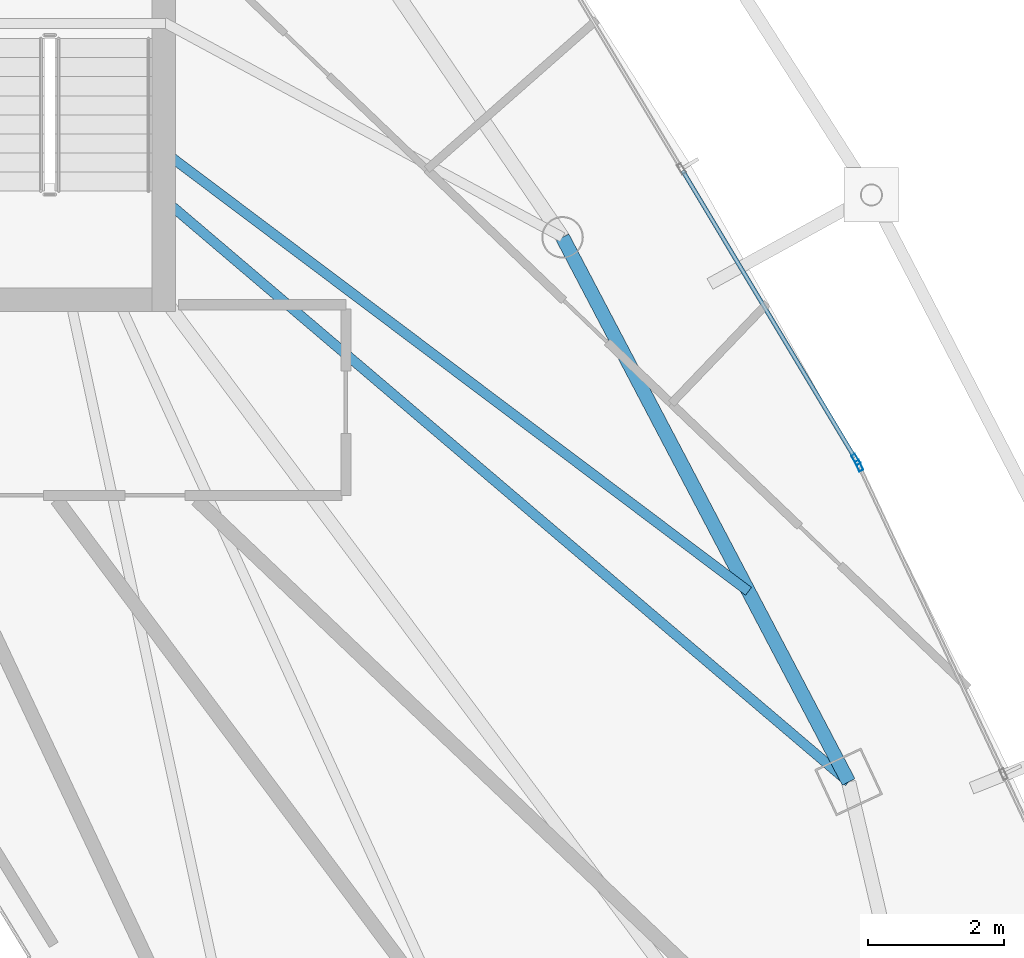
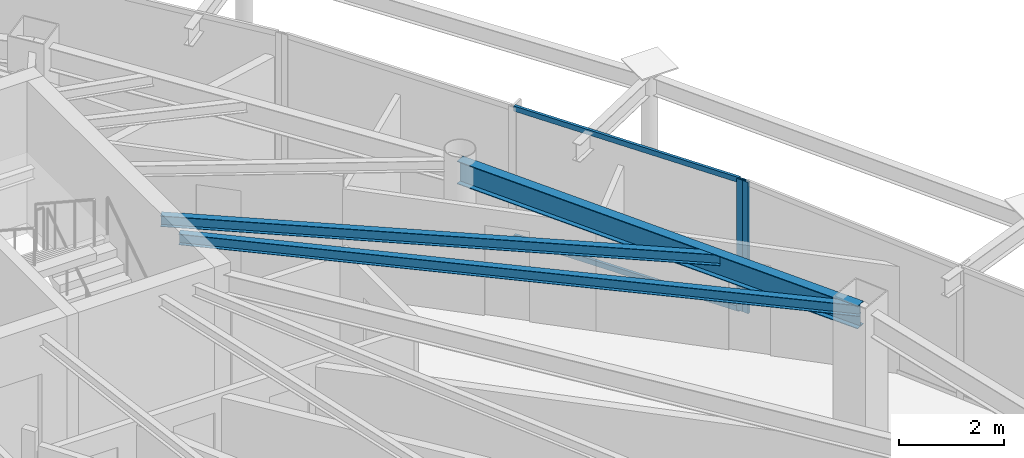
# One storey, part 18 of 32: 4 members, 3 beams, 2 elements without a shape of their own.
"""IFC4 building model written with IfcOpenShell, lengths in metres."""

from ifc_helpers import new_model, si_unit, direction, frame, origin, origin_2d, place, context, subcontext, project, spatial, hollow_rectangle, i_section, extrude, material, layer, layer_set, material_profile, profile_set, type_object, element, aggregate, save


model = new_model("IFC4")

# Units and contexts
model_context = context("Model", 3, precision=1e-05, world=origin(), true_north=direction((0.0, 1.0)))
body_context = subcontext(model_context, "Body", "Model", "MODEL_VIEW")
ifc_project = project(units=[si_unit("LENGTHUNIT", "METRE"), si_unit("AREAUNIT", "SQUARE_METRE"), si_unit("VOLUMEUNIT", "CUBIC_METRE"), si_unit("PLANEANGLEUNIT", "RADIAN"), si_unit("MASSUNIT", "GRAM", prefix="KILO")], contexts=[model_context])

# Site, building, storey
site_placement = place(None, origin())
site = spatial("IfcSite", under=ifc_project, at=site_placement, CompositionType="ELEMENT")
building_placement = place(site_placement, origin())
building = spatial("IfcBuilding", under=site, at=building_placement, Name="Orvanel Arch Residences", CompositionType="ELEMENT")
storey_placement = place(building_placement, frame((0.0, 0.0, 222.800048828125)))
storey = spatial("IfcBuildingStorey", under=building, at=storey_placement, Name="L63", CompositionType="ELEMENT", Elevation=222.800048828125)

# Beams
ifc_material_1 = material(Name="Structural steel AS/NZS 3679.1 Grade 300 (300 MPa)", Category="steel")
ifc_material_profile_1 = material_profile(ifc_material_1, i_section(OverallWidth=0.14599609375, OverallDepth=0.251953125, WebThickness=0.006103515625, FlangeThickness=0.008544921875, at=origin_2d()), Name="250UB31.4")
ifc_profile_set_1 = profile_set([ifc_material_profile_1], Name="Structural steel AS/NZS 3679.1 Grade 300 (300 MPa)")
beam_type_1 = type_object("IfcBeamType", Name="BJ-250UB", PredefinedType="JOIST", material=ifc_profile_set_1)
beam_1_placement = place(storey_placement, frame((39.574951171875, 28.199951171875, 2.933837890625), z_axis=(0.761622669031, -0.64802076357, 0.0), x_axis=(0.64802076357, 0.761622669031, 0.0)))
element("IfcBeam", 1, at=beam_1_placement, inside=storey, type_object=beam_type_1, Name="L63 E Wing Floor Joist", PredefinedType="JOIST", context=body_context, shape_type="SweptSolid", body=[
    extrude(i_section(OverallWidth=0.14599609375, OverallDepth=0.251953125, WebThickness=0.006103515625, FlangeThickness=0.008544921875, at=origin_2d()), origin(), (0.0, 0.0, 1.0), 13.2060546875),
])
beam_2_placement = place(storey_placement, frame((39.574951171875, 28.89990234375, 2.933837890625), z_axis=(0.799211300837, -0.60105016148, 0.0), x_axis=(0.60105016148, 0.799211300837, 0.0)))
element("IfcBeam", 2, at=beam_2_placement, inside=storey, type_object=beam_type_1, Name="L63 CTE Wing Floor Joist", PredefinedType="JOIST", context=body_context, shape_type="SweptSolid", body=[
    extrude(i_section(OverallWidth=0.14599609375, OverallDepth=0.251953125, WebThickness=0.006103515625, FlangeThickness=0.008544921875, at=origin_2d()), origin(), (0.0, 0.0, 1.0), 10.74462890625),
])

# Curtain wall, member
ifc_material_2 = material(Name="Bronze-anodised aluminium AA6063-T6", Category="aluminium")
ifc_layer = layer(ifc_material_2, 0.175048828125)
ifc_layer_set = layer_set([ifc_layer], Name="Bronze-anodised aluminium AA6063-T6")
curtain_wall_type = type_object("IfcCurtainWallType", Name="CW4-HI-SYS", PredefinedType="NOTDEFINED", material=ifc_layer_set)
curtain_wall_1_placement = place(storey_placement, origin())
curtain_wall_1 = element("IfcCurtainWall", 3, at=curtain_wall_1_placement, inside=storey, type_object=curtain_wall_type, Name="L63 CW4-HI-SYS Unitised Curtain Wall", PredefinedType="NOTDEFINED")
ifc_material_profile_2 = material_profile(ifc_material_2, hollow_rectangle(XDim=0.06494140625, YDim=0.159912109375, WallThickness=0.00390625, at=origin_2d()), Name="ALU160x65x4")
ifc_profile_set_2 = profile_set([ifc_material_profile_2], Name="Bronze-anodised aluminium AA6063-T6")
member_type_1 = type_object("IfcMemberType", Name="MUL-160x65", PredefinedType="MULLION", material=ifc_profile_set_2)
member_1_placement = place(storey_placement, frame((49.786865234375, 24.28662109375, 0.0), z_axis=(0.0, 0.0, 1.0), x_axis=(-0.905611523567, -0.424108203626, 0.0)))
member_1 = element("IfcMember", 4, at=member_1_placement, type_object=member_type_1, Name="CW-S4 mullion 3", PredefinedType="MULLION", context=body_context, shape_type="SweptSolid", body=[
    extrude(hollow_rectangle(XDim=0.06494140625, YDim=0.159912109375, WallThickness=0.00390625, at=origin_2d()), origin(), (0.0, 0.0, 1.0), 3.06005859375),
])
aggregate(curtain_wall_1, [member_1])

curtain_wall_2_placement = place(storey_placement, origin())
curtain_wall_2 = element("IfcCurtainWall", 5, at=curtain_wall_2_placement, inside=storey, type_object=curtain_wall_type, Name="L63 CW4-HI-SYS Unitised Curtain Wall", PredefinedType="NOTDEFINED")
member_2_placement = place(storey_placement, frame((49.73828125, 24.37890625, 0.0), z_axis=(0.0, 0.0, 1.0), x_axis=(-0.857536965081, -0.514422349359, 0.0)))
member_2 = element("IfcMember", 6, at=member_2_placement, type_object=member_type_1, Name="CW-S4 mullion 1", PredefinedType="MULLION", context=body_context, shape_type="SweptSolid", body=[
    extrude(hollow_rectangle(XDim=0.06494140625, YDim=0.159912109375, WallThickness=0.00390625, at=origin_2d()), origin(), (0.0, 0.0, 1.0), 3.06005859375),
])

# Beam
ifc_material_profile_3 = material_profile(ifc_material_1, i_section(OverallWidth=0.208984375, OverallDepth=0.532958984375, WebThickness=0.01025390625, FlangeThickness=0.015625, at=origin_2d()), Name="530UB92.4")
ifc_profile_set_3 = profile_set([ifc_material_profile_3], Name="Structural steel AS/NZS 3679.1 Grade 300 (300 MPa)")
beam_type_2 = type_object("IfcBeamType", Name="SP-530UB", PredefinedType="SPANDREL", material=ifc_profile_set_3)
beam_3_placement = place(storey_placement, frame((49.633056640625, 19.64208984375, 2.7939453125), z_axis=(-0.465064762793, 0.885276660942, 0.0), x_axis=(-0.885276660942, -0.465064762793, 0.0)))
element("IfcBeam", 7, at=beam_3_placement, inside=storey, type_object=beam_type_2, Name="L63 Perimeter Spandrel Beam 07", PredefinedType="SPANDREL", context=body_context, shape_type="SweptSolid", body=[
    extrude(i_section(OverallWidth=0.208984375, OverallDepth=0.532958984375, WebThickness=0.01025390625, FlangeThickness=0.015625, at=origin_2d()), origin(), (0.0, 0.0, 1.0), 9.03564453125),
])

# Member
ifc_material_profile_4 = material_profile(ifc_material_2, hollow_rectangle(XDim=0.06005859375, YDim=0.1201171875, WallThickness=0.00341796875, at=origin_2d()), Name="ALU120x60x3.5")
ifc_profile_set_4 = profile_set([ifc_material_profile_4], Name="Bronze-anodised aluminium AA6063-T6")
member_type_2 = type_object("IfcMemberType", Name="TRN-120x60", PredefinedType="USERDEFINED", material=ifc_profile_set_4)
member_3_placement = place(storey_placement, frame((49.7216796875, 24.40673828125, 0.030029296875), z_axis=(-0.514422647267, 0.85753678637, 0.0), x_axis=(-0.85753678637, -0.514422647267, 0.0)))
member_3 = element("IfcMember", 8, at=member_3_placement, type_object=member_type_2, Name="CW-S4 transom 1.1", ObjectType="TRANSOM", PredefinedType="USERDEFINED", context=body_context, shape_type="SweptSolid", body=[
    extrude(hollow_rectangle(XDim=0.06005859375, YDim=0.1201171875, WallThickness=0.00341796875, at=origin_2d()), origin(), (0.0, 0.0, 1.0), 4.9111328125),
])

member_4_placement = place(storey_placement, frame((49.7216796875, 24.40673828125, 3.030029296875), z_axis=(-0.514422647267, 0.85753678637, 0.0), x_axis=(-0.85753678637, -0.514422647267, 0.0)))
member_4 = element("IfcMember", 9, at=member_4_placement, type_object=member_type_2, Name="CW-S4 transom 1.2", ObjectType="TRANSOM", PredefinedType="USERDEFINED", context=body_context, shape_type="SweptSolid", body=[
    extrude(hollow_rectangle(XDim=0.06005859375, YDim=0.1201171875, WallThickness=0.00341796875, at=origin_2d()), origin(), (0.0, 0.0, 1.0), 4.9111328125),
])

aggregate(curtain_wall_2, [member_2, member_3, member_4])

save(model, "model.ifc")
